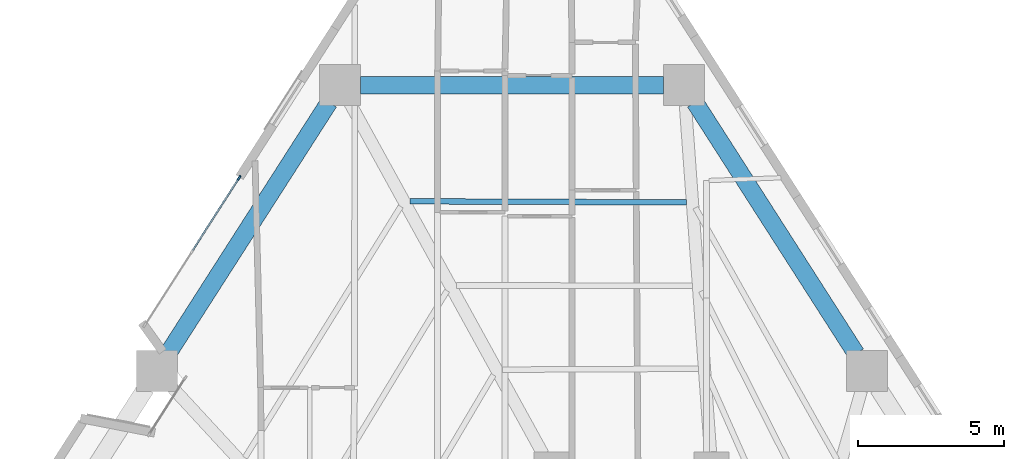
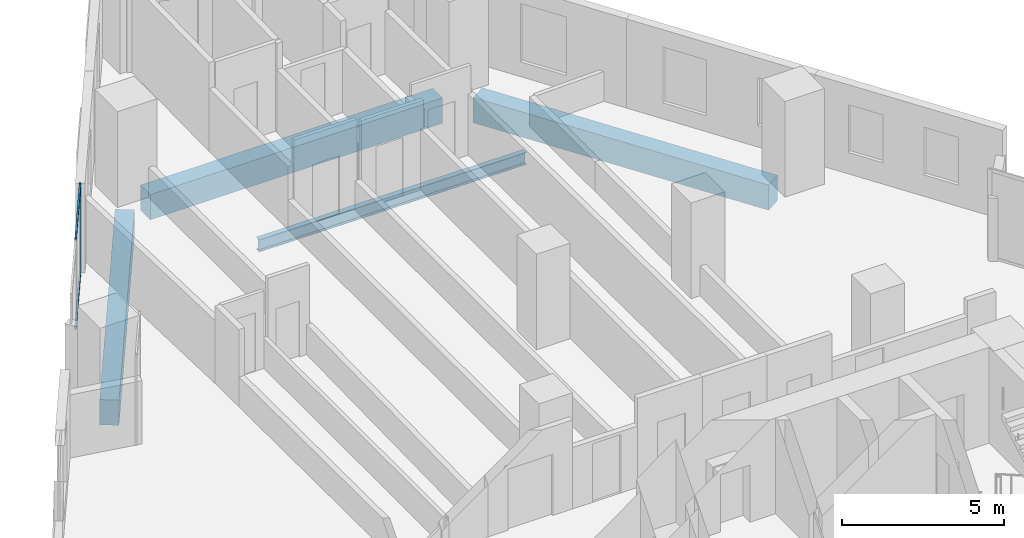
# One storey, part 6 of 13: 4 beams, 3 members, 1 element without a shape of its own.
"""IFC4 building model written with IfcOpenShell, lengths in metres."""

from ifc_helpers import new_model, si_unit, direction, frame, origin, origin_2d, place, context, subcontext, project, spatial, rectangle, i_section, extrude, material, layer, layer_set, material_profile, profile_set, type_object, element, aggregate, save


model = new_model("IFC4")

# Units and contexts
model_context = context("Model", 3, precision=1e-05, world=origin(), true_north=direction((0.0, 1.0)))
body_context = subcontext(model_context, "Body", "Model", "MODEL_VIEW")
ifc_project = project(units=[si_unit("LENGTHUNIT", "METRE"), si_unit("AREAUNIT", "SQUARE_METRE"), si_unit("VOLUMEUNIT", "CUBIC_METRE"), si_unit("PLANEANGLEUNIT", "RADIAN"), si_unit("MASSUNIT", "GRAM", prefix="KILO")], contexts=[model_context])

# Site, building, storey
site_placement = place(None, origin())
site = spatial("IfcSite", under=ifc_project, at=site_placement, CompositionType="ELEMENT")
building_placement = place(site_placement, origin())
building = spatial("IfcBuilding", under=site, at=building_placement, Name="Almagre Mirador Tower", CompositionType="ELEMENT")
storey_placement = place(building_placement, frame((0.0, 0.0, 49.800048828125)))
storey = spatial("IfcBuildingStorey", under=building, at=storey_placement, Name="L11", CompositionType="ELEMENT", Elevation=49.800048828125)

# Beams
ifc_material_1 = material(Name="Steel ASTM A992 Grade 50", Category="steel")
ifc_material_profile_1 = material_profile(ifc_material_1, i_section(OverallWidth=0.19091796875, OverallDepth=0.4599609375, WebThickness=0.010009765625, FlangeThickness=0.01611328125, FilletRadius=0.01611328125, at=origin_2d()), Name="W18X55")
ifc_profile_set_1 = profile_set([ifc_material_profile_1], Name="Steel ASTM A992 Grade 50")
beam_type_1 = type_object("IfcBeamType", Name="BM-JST-W18X55", PredefinedType="JOIST", material=ifc_profile_set_1)
beam_1_placement = place(storey_placement, frame((41.979248046875, 35.350341796875, -0.47998046875), z_axis=(-0.999991504181, 0.004122082717, 0.0), x_axis=(-0.004122082717, -0.999991504181, 0.0)))
element("IfcBeam", 1, at=beam_1_placement, inside=storey, type_object=beam_type_1, Name="L11 secondary floor joist PC08-PC09.1", PredefinedType="JOIST", context=body_context, shape_type="SweptSolid", body=[
    extrude(i_section(OverallWidth=0.19091796875, OverallDepth=0.4599609375, WebThickness=0.010009765625, FlangeThickness=0.01611328125, FilletRadius=0.01611328125, at=origin_2d()), origin(), (0.0, 0.0, 1.0), 9.476318359375),
])
ifc_material_2 = material(Name="Precast concrete C50/60", Category="concrete")
ifc_material_profile_2 = material_profile(ifc_material_2, rectangle(XDim=0.60009765625, YDim=0.949951171875, at=origin_2d()), Name="RC600X950")
ifc_profile_set_2 = profile_set([ifc_material_profile_2], Name="Precast concrete C50/60")
beam_type_2 = type_object("IfcBeamType", Name="BM-SPN-RC600X950", PredefinedType="SPANDREL", material=ifc_profile_set_2)
beam_2_placement = place(storey_placement, frame((47.80029296875, 30.162353515625, -0.72509765625), z_axis=(-0.539538717329, 0.841960790359, 0.0), x_axis=(-0.841960790359, -0.539538717329, 0.0)))
element("IfcBeam", 2, at=beam_2_placement, inside=storey, type_object=beam_type_2, Name="L11 perimeter spandrel beam PC07-PC08", PredefinedType="SPANDREL", context=body_context, shape_type="SweptSolid", body=[
    extrude(rectangle(XDim=0.60009765625, YDim=0.949951171875, at=origin_2d()), origin(), (0.0, 0.0, 1.0), 10.239501953125),
])
beam_3_placement = place(storey_placement, frame((41.197998046875, 39.373046875, -0.72509765625), z_axis=(-1.0, 0.0, 0.0), x_axis=(0.0, -1.0, 0.0)))
element("IfcBeam", 3, at=beam_3_placement, inside=storey, type_object=beam_type_2, Name="L11 perimeter spandrel beam PC08-PC09", PredefinedType="SPANDREL", context=body_context, shape_type="SweptSolid", body=[
    extrude(rectangle(XDim=0.60009765625, YDim=0.949951171875, at=origin_2d()), origin(), (0.0, 0.0, 1.0), 10.39599609375),
])
beam_4_placement = place(storey_placement, frame((29.724365234375, 38.78369140625, -0.72509765625), z_axis=(-0.539538717329, -0.841960790359, 0.0), x_axis=(0.841960790359, -0.539538717329, 0.0)))
element("IfcBeam", 4, at=beam_4_placement, inside=storey, type_object=beam_type_2, Name="L11 perimeter spandrel beam PC09-PC10", PredefinedType="SPANDREL", context=body_context, shape_type="SweptSolid", body=[
    extrude(rectangle(XDim=0.60009765625, YDim=0.949951171875, at=origin_2d()), origin(), (0.0, 0.0, 1.0), 10.239501953125),
])

# Curtain wall, members
ifc_material_3 = material(Name="Black anodized aluminium", Category="aluminium")
ifc_layer = layer(ifc_material_3, 0.18994140625)
ifc_layer_set = layer_set([ifc_layer], Name="Black anodized aluminium")
curtain_wall_type = type_object("IfcCurtainWallType", Name="CW-RES-L-SYS", PredefinedType="NOTDEFINED", material=ifc_layer_set)
curtain_wall_placement = place(storey_placement, origin())
curtain_wall = element("IfcCurtainWall", 5, at=curtain_wall_placement, inside=storey, type_object=curtain_wall_type, Name="L11 curtain wall run 02", PredefinedType="NOTDEFINED")
ifc_material_4 = material(Name="Black anodized aluminium", Category="aluminium")
ifc_material_profile_3 = material_profile(ifc_material_4, rectangle(XDim=0.06494140625, YDim=0.179931640625, at=origin_2d()), Name="CWM65X180")
ifc_profile_set_3 = profile_set([ifc_material_profile_3], Name="Black anodized aluminium")
member_type_1 = type_object("IfcMemberType", Name="MBR-CWM65X180", PredefinedType="MULLION", material=ifc_profile_set_3)
member_1_placement = place(storey_placement, frame((26.63916015625, 36.192626953125, 0.0), z_axis=(0.0, 0.0, 1.0), x_axis=(-0.841967002982, 0.539529022287, 0.0)))
member_1 = element("IfcMember", 6, at=member_1_placement, type_object=member_type_1, Name="CW-2 mullion 3", PredefinedType="MULLION", context=body_context, shape_type="SweptSolid", body=[
    extrude(rectangle(XDim=0.06494140625, YDim=0.179931640625, at=origin_2d()), origin(), (0.0, 0.0, 1.0), 3.349853515625),
])
ifc_material_5 = material(Name="Black anodized aluminium", Category="aluminium")
ifc_material_profile_4 = material_profile(ifc_material_5, rectangle(XDim=0.06005859375, YDim=0.1298828125, at=origin_2d()), Name="CWT60X130")
ifc_profile_set_4 = profile_set([ifc_material_profile_4], Name="Black anodized aluminium")
member_type_2 = type_object("IfcMemberType", Name="MBR-CWT60X130", PredefinedType="USERDEFINED", material=ifc_profile_set_4)
member_2_placement = place(storey_placement, frame((25.039794921875, 33.69677734375, 0.030029296875), z_axis=(0.539523852713, 0.841970315601, 0.0), x_axis=(-0.841970315601, 0.539523852713, 0.0)))
member_2 = element("IfcMember", 7, at=member_2_placement, type_object=member_type_2, Name="CW-2 transom 2.1", ObjectType="TRANSOM", PredefinedType="USERDEFINED", context=body_context, shape_type="SweptSolid", body=[
    extrude(rectangle(XDim=0.06005859375, YDim=0.1298828125, at=origin_2d()), origin(), (0.0, 0.0, 1.0), 2.931884765625),
])
member_3_placement = place(storey_placement, frame((25.039794921875, 33.69677734375, 3.320068359375), z_axis=(0.539523852713, 0.841970315601, 0.0), x_axis=(-0.841970315601, 0.539523852713, 0.0)))
member_3 = element("IfcMember", 8, at=member_3_placement, type_object=member_type_2, Name="CW-2 transom 2.2", ObjectType="TRANSOM", PredefinedType="USERDEFINED", context=body_context, shape_type="SweptSolid", body=[
    extrude(rectangle(XDim=0.06005859375, YDim=0.1298828125, at=origin_2d()), origin(), (0.0, 0.0, 1.0), 2.931884765625),
])
aggregate(curtain_wall, [member_1, member_2, member_3])

save(model, "model.ifc")
